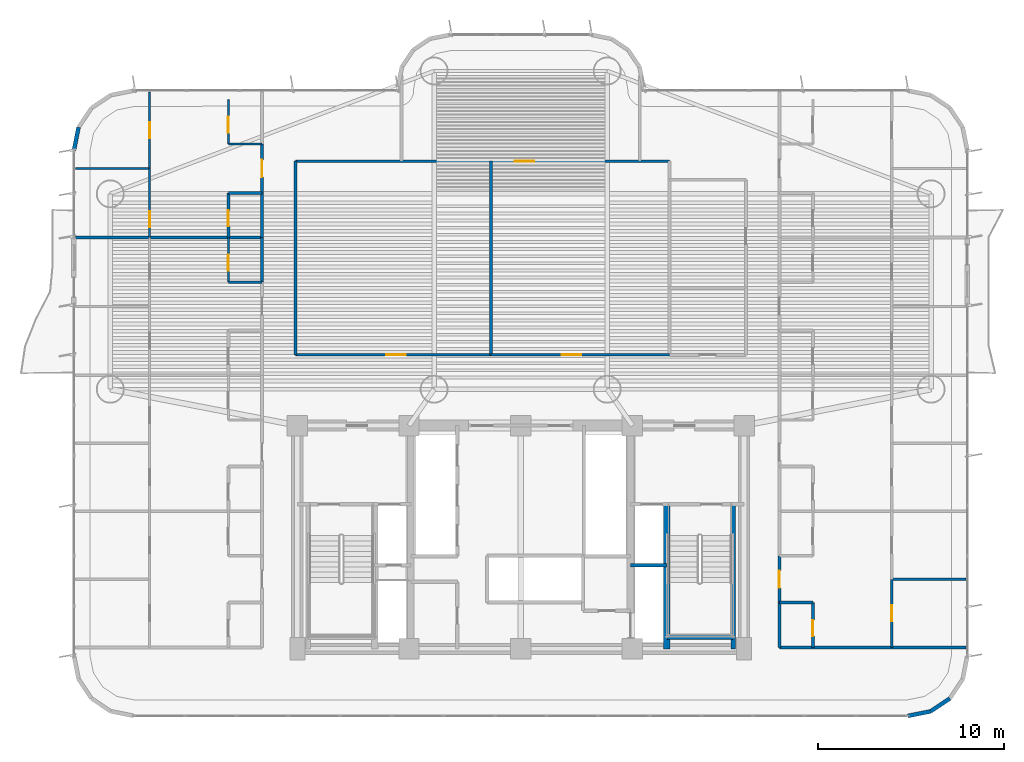
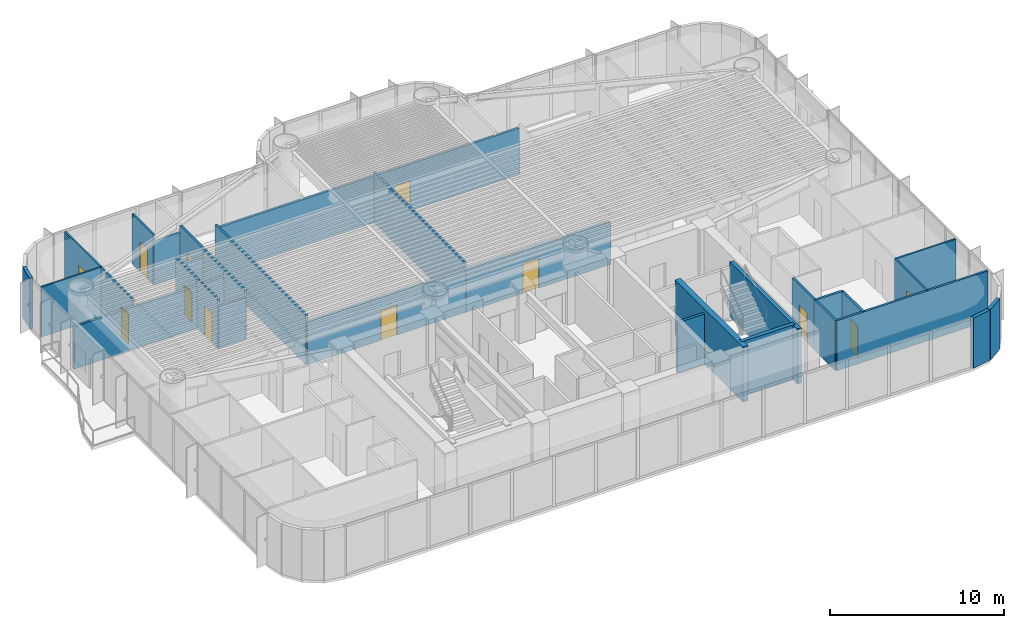
# One storey, part 12 of 19: 32 walls, 12 doors, 12 openings.
"""IFC4 building model written with IfcOpenShell, lengths in metres."""

from ifc_helpers import new_model, si_unit, direction, frame, frame_2d, origin, origin_2d, place, context, subcontext, project, spatial, rectangle, extrude, source, transform, mapped, material, layer, layer_set, type_object, element, fill, save


model = new_model("IFC4")

# Units and contexts
model_context = context("Model", 3, precision=1e-05, world=origin(), true_north=direction((0.0, 1.0)))
body_context = subcontext(model_context, "Body", "Model", "MODEL_VIEW")
ifc_project = project(units=[si_unit("LENGTHUNIT", "METRE"), si_unit("AREAUNIT", "SQUARE_METRE"), si_unit("VOLUMEUNIT", "CUBIC_METRE"), si_unit("PLANEANGLEUNIT", "RADIAN"), si_unit("MASSUNIT", "GRAM", prefix="KILO")], contexts=[model_context])

# Site, building, storey
site_placement = place(None, origin())
site = spatial("IfcSite", under=ifc_project, at=site_placement, CompositionType="ELEMENT")
building_placement = place(site_placement, origin())
building = spatial("IfcBuilding", under=site, at=building_placement, Name="Brelvock Crest Care Tower", CompositionType="ELEMENT")
storey_placement = place(building_placement, frame((0.0, 0.0, 34.56005859375)))
storey = spatial("IfcBuildingStorey", under=building, at=storey_placement, Name="L08", CompositionType="ELEMENT", Elevation=34.56005859375)

# Walls
ifc_material_1 = material(Name="Concrete S80 (80 MPa)", Category="concrete")
ifc_layer_1 = layer(ifc_material_1, 0.35009765625, Name="WL-CS5")
ifc_layer_set_1 = layer_set([ifc_layer_1], Name="Concrete S80 (80 MPa)")
wall_type_1 = type_object("IfcWallType", Name="WL-CS5", PredefinedType="SHEAR", material=ifc_layer_set_1)
wall_1_placement = place(storey_placement, frame((43.85009765625, 6.0, 0.0), z_axis=(0.0, 0.0, 1.0), x_axis=(0.0, 1.0, 0.0)))
element("IfcWall", 1, at=wall_1_placement, inside=storey, type_object=wall_type_1, Name="L08 Core Stair ST-2 West Shear Wall", PredefinedType="SHEAR", context=body_context, shape_type="SweptSolid", body=[
    extrude(rectangle(XDim=7.780029296875, YDim=0.35009765625, at=frame_2d((3.89013671875, 0.0))), origin(), (0.0, 0.0, 1.0), 3.849853515625),
])
ifc_layer_2 = layer(ifc_material_1, 0.25, Name="WL-CS6")
ifc_layer_set_2 = layer_set([ifc_layer_2], Name="Concrete S80 (80 MPa)")
wall_type_2 = type_object("IfcWallType", Name="WL-CS6", PredefinedType="SHEAR", material=ifc_layer_set_2)
wall_2_placement = place(storey_placement, frame((47.419921875, 6.0, 0.0), z_axis=(0.0, 0.0, 1.0), x_axis=(0.0, 1.0, 0.0)))
element("IfcWall", 2, at=wall_2_placement, inside=storey, type_object=wall_type_2, Name="L08 Core Stair ST-2 East Shear Wall", PredefinedType="SHEAR", context=body_context, shape_type="SweptSolid", body=[
    extrude(rectangle(XDim=7.780029296875, YDim=0.25, at=frame_2d((3.89013671875, 0.0))), origin(), (0.0, 0.0, 1.0), 3.849853515625),
])
wall_3_placement = place(storey_placement, frame((43.85009765625, 6.6201171875, 0.0), z_axis=(0.0, 0.0, 1.0), x_axis=(1.0, 0.0, 0.0)))
element("IfcWall", 3, at=wall_3_placement, inside=storey, type_object=wall_type_2, Name="L08 Core Stair ST-2 South Shear Wall", PredefinedType="SHEAR", context=body_context, shape_type="SweptSolid", body=[
    extrude(rectangle(XDim=3.56982421875, YDim=0.25, at=frame_2d((1.784912109375, 0.0))), origin(), (0.0, 0.0, 1.0), 3.849853515625),
])
ifc_material_2 = material(Name="Precast concrete N40 (40 MPa)", Category="concrete")
ifc_layer_3 = layer(ifc_material_2, 0.215087890625, Name="WL-EX2")
ifc_layer_set_3 = layer_set([ifc_layer_3], Name="Precast concrete N40 (40 MPa)")
wall_type_3 = type_object("IfcWallType", Name="WL-EX2", PredefinedType="SOLIDWALL", material=ifc_layer_set_3)
for number, where, z_axis, x_axis, name in (
    (4, (59.062744140625, 3.33740234375, 0.0), (0.0, 0.0, 1.0), (-0.831387912822, -0.555692485475, 0.0), "L08 Rounded Corner Wall 06"),
    (5, (58.024658203125, 2.6435546875, 0.0), (0.0, 0.0, 1.0), (-0.980775717779, -0.195138390419, 0.0), "L08 Rounded Corner Wall 07"),
    (6, (12.0, 32.800048828125, 0.0), (0.0, 0.0, 1.0), (0.195138390419, 0.980775717779, 0.0), "L08 Rounded Corner Wall 14"),
):
    element("IfcWall", number, at=place(storey_placement, frame(where, z_axis=z_axis, x_axis=x_axis)), inside=storey, type_object=wall_type_3, Name=name, PredefinedType="SOLIDWALL", context=body_context, shape_type="SweptSolid", body=[
        extrude(rectangle(XDim=1.24853515625, YDim=0.215087890625, at=frame_2d((0.624267578125, 0.0))), origin(), (0.0, 0.0, 1.0), 3.530029296875),
    ])
ifc_material_3 = material(Name="Masonry Blockwork Acoustic Partition", Category="masonry")
ifc_layer_4 = layer(ifc_material_3, 0.14990234375, Name="WL-INT1")
ifc_layer_set_4 = layer_set([ifc_layer_4], Name="Masonry Blockwork Acoustic Partition")
wall_type_4 = type_object("IfcWallType", Name="WL-INT1", PredefinedType="PARTITIONING", material=ifc_layer_set_4)
wall_4_placement = place(storey_placement, frame((49.89990234375, 6.080078125, 0.0), z_axis=(0.0, 0.0, 1.0), x_axis=(1.0, 0.0, 0.0)))
element("IfcWall", 7, at=wall_4_placement, inside=storey, type_object=wall_type_4, Name="L08 Interior Wall WL-BX-L08-FL-EW1-S", PredefinedType="PARTITIONING", context=body_context, shape_type="SweptSolid", body=[
    extrude(rectangle(XDim=10.02001953125, YDim=0.14990234375, at=frame_2d((5.010009765625, 0.0))), origin(), (0.0, 0.0, 1.0), 3.5),
])

# Wall, opening, door
wall_5_placement = place(storey_placement, frame((23.89990234375, 21.800048828125, 0.0), z_axis=(0.0, 0.0, 1.0), x_axis=(1.0, 0.0, 0.0)))
wall_5 = element("IfcWall", 8, at=wall_5_placement, inside=storey, type_object=wall_type_4, Name="L08 Interior Wall WL-RM-L08-CNW", PredefinedType="PARTITIONING", context=body_context, shape_type="SweptSolid", body=[
    extrude(rectangle(XDim=10.5, YDim=0.14990234375, at=frame_2d((5.25, 0.0))), origin(), (0.0, 0.0, 1.0), 2.98193359375),
])
opening_1_placement = place(wall_5_placement, frame((4.875, 0.0, 0.0)))
opening_1 = element("IfcOpeningElement", 9, at=opening_1_placement, cuts=wall_5, Name="Opening CLD-1", PredefinedType="OPENING", context=body_context, shape_type="SweptSolid", body=[
    extrude(rectangle(XDim=1.050048828125, YDim=2.10009765625, at=origin_2d()), frame((0.52490234375, 0.0849609375, 1.050048828125), z_axis=(0.0, -1.0, 0.0), x_axis=(1.0, 0.0, 0.0)), (0.0, 0.0, 1.0), 0.169921875),
])
ifc_material_4 = material(Name="Engineered Hardwood Timber", Category="wood")
door_type_1 = type_object("IfcDoorType", Name="DR-CLN1", OperationType="NOTDEFINED", PredefinedType="DOOR", material=ifc_material_4)
shared_shape_1 = source(origin(), body_context, "Body", "SweptSolid", [
    extrude(rectangle(XDim=1.050048828125, YDim=2.10009765625, at=origin_2d()), frame((0.52490234375, 0.02490234375, 1.050048828125), z_axis=(0.0, -1.0, 0.0), x_axis=(1.0, 0.0, 0.0)), (0.0, 0.0, 1.0), 0.050048828125),
])
door_1_placement = place(opening_1_placement, origin())
door_1 = element("IfcDoor", 10, at=door_1_placement, inside=storey, type_object=door_type_1, Name="L08 Communal Dining Conservatory Door CNW", OperationType="SINGLE_SWING_LEFT", OverallHeight=2.10009765625, OverallWidth=1.050048828125, PredefinedType="DOOR", context=body_context, shape_type="MappedRepresentation", body=[
    mapped(shared_shape_1, transform((0.0, 0.0, 0.0), x_axis=(1.0, 0.0, 0.0), y_axis=(0.0, 1.0, 0.0), z_axis=(0.0, 0.0, 1.0), scale=1.0)),
])
fill(opening_1, door_1)

wall_6_placement = place(storey_placement, frame((34.39990234375, 21.800048828125, 0.0), z_axis=(0.0, 0.0, 1.0), x_axis=(1.0, 0.0, 0.0)))
wall_6 = element("IfcWall", 11, at=wall_6_placement, inside=storey, type_object=wall_type_4, Name="L08 Interior Wall WL-RM-L08-CNE", PredefinedType="PARTITIONING", context=body_context, shape_type="SweptSolid", body=[
    extrude(rectangle(XDim=9.60009765625, YDim=0.14990234375, at=frame_2d((4.800048828125, 0.0))), origin(), (0.0, 0.0, 1.0), 2.98193359375),
])
opening_2_placement = place(wall_6_placement, frame((3.794921875, 0.0, 0.0)))
opening_2 = element("IfcOpeningElement", 12, at=opening_2_placement, cuts=wall_6, Name="Opening CLD-1", PredefinedType="OPENING", context=body_context, shape_type="SweptSolid", body=[
    extrude(rectangle(XDim=1.050048828125, YDim=2.10009765625, at=origin_2d()), frame((0.52490234375, 0.0849609375, 1.050048828125), z_axis=(0.0, -1.0, 0.0), x_axis=(1.0, 0.0, 0.0)), (0.0, 0.0, 1.0), 0.169921875),
])
door_2_placement = place(opening_2_placement, origin())
door_2 = element("IfcDoor", 13, at=door_2_placement, inside=storey, type_object=door_type_1, Name="L08 Geriatric Nurse Consultation Hub Door CNE", OperationType="SINGLE_SWING_LEFT", OverallHeight=2.10009765625, OverallWidth=1.050048828125, PredefinedType="DOOR", context=body_context, shape_type="MappedRepresentation", body=[
    mapped(shared_shape_1, transform((0.0, 0.0, 0.0), x_axis=(1.0, 0.0, 0.0), y_axis=(0.0, 1.0, 0.0), z_axis=(0.0, 0.0, 1.0), scale=1.0)),
])
fill(opening_2, door_2)

# Wall
wall_7_placement = place(storey_placement, frame((12.080078125, 28.10009765625, 0.0), z_axis=(0.0, 0.0, 1.0), x_axis=(1.0, 0.0, 0.0)))
element("IfcWall", 14, at=wall_7_placement, inside=storey, type_object=wall_type_4, Name="L08 Interior Wall WL-BX-L08-FL-WW3-N", PredefinedType="PARTITIONING", context=body_context, shape_type="SweptSolid", body=[
    extrude(rectangle(XDim=10.02001953125, YDim=0.14990234375, at=frame_2d((5.010009765625, 0.0))), origin(), (0.0, 0.0, 1.0), 2.98193359375),
])

# Wall, opening, door
wall_8_placement = place(storey_placement, frame((23.89990234375, 32.199951171875, 0.0), z_axis=(0.0, 0.0, 1.0), x_axis=(1.0, 0.0, 0.0)))
wall_8 = element("IfcWall", 15, at=wall_8_placement, inside=storey, type_object=wall_type_4, Name="L08 Interior Wall WL-RM-L08-NHUB", PredefinedType="PARTITIONING", context=body_context, shape_type="SweptSolid", body=[
    extrude(rectangle(XDim=20.10009765625, YDim=0.14990234375, at=frame_2d((10.050048828125, 0.0))), origin(), (0.0, 0.0, 1.0), 3.259033203125),
])
opening_3_placement = place(wall_8_placement, frame((11.77490234375, 0.0, 0.0)))
opening_3 = element("IfcOpeningElement", 16, at=opening_3_placement, cuts=wall_8, Name="Opening CLD-1", PredefinedType="OPENING", context=body_context, shape_type="SweptSolid", body=[
    extrude(rectangle(XDim=1.050048828125, YDim=2.10009765625, at=origin_2d()), frame((0.52490234375, 0.0849609375, 1.050048828125), z_axis=(0.0, -1.0, 0.0), x_axis=(1.0, 0.0, 0.0)), (0.0, 0.0, 1.0), 0.169921875),
])
door_3_placement = place(opening_3_placement, origin())
door_3 = element("IfcDoor", 17, at=door_3_placement, inside=storey, type_object=door_type_1, Name="L08 Harbour Wintergarden Lounge Door NHUB", OperationType="SINGLE_SWING_LEFT", OverallHeight=2.10009765625, OverallWidth=1.050048828125, PredefinedType="DOOR", context=body_context, shape_type="MappedRepresentation", body=[
    mapped(shared_shape_1, transform((0.0, 0.0, 0.0), x_axis=(1.0, 0.0, 0.0), y_axis=(0.0, 1.0, 0.0), z_axis=(0.0, 0.0, 1.0), scale=1.0)),
])
fill(opening_3, door_3)

# Wall
wall_9_placement = place(storey_placement, frame((22.10009765625, 25.699951171875, 0.0), z_axis=(0.0, 0.0, 1.0), x_axis=(0.0, 1.0, 0.0)))
element("IfcWall", 18, at=wall_9_placement, inside=storey, type_object=wall_type_4, Name="L08 Interior Wall WL-UCK-L08-WW3", PredefinedType="PARTITIONING", context=body_context, shape_type="SweptSolid", body=[
    extrude(rectangle(XDim=2.400146484375, YDim=0.14990234375, at=frame_2d((1.2001953125, 0.0))), origin(), (0.0, 0.0, 1.0), 3.5),
])

# Wall, opening, door
wall_10_placement = place(storey_placement, frame((22.10009765625, 30.5, 0.0), z_axis=(0.0, 0.0, 1.0), x_axis=(0.0, 1.0, 0.0)))
wall_10 = element("IfcWall", 19, at=wall_10_placement, inside=storey, type_object=wall_type_4, Name="L08 Interior Wall WL-UENT-L08-WW4", PredefinedType="PARTITIONING", context=body_context, shape_type="SweptSolid", body=[
    extrude(rectangle(XDim=2.6201171875, YDim=0.14990234375, at=frame_2d((1.31005859375, 0.0))), origin(), (0.0, 0.0, 1.0), 3.5),
])
opening_4_placement = place(wall_10_placement, frame((0.85009765625, 0.0, 0.0)))
opening_4 = element("IfcOpeningElement", 20, at=opening_4_placement, cuts=wall_10, Name="Opening AD-1", PredefinedType="OPENING", context=body_context, shape_type="SweptSolid", body=[
    extrude(rectangle(XDim=0.919921875, YDim=2.10009765625, at=origin_2d()), frame((0.4599609375, 0.0849609375, 1.050048828125), z_axis=(0.0, -1.0, 0.0), x_axis=(1.0, 0.0, 0.0)), (0.0, 0.0, 1.0), 0.169921875),
])
door_type_2 = type_object("IfcDoorType", Name="DR-APT1", OperationType="NOTDEFINED", PredefinedType="DOOR", material=ifc_material_4)
shared_shape_2 = source(origin(), body_context, "Body", "SweptSolid", [
    extrude(rectangle(XDim=0.919921875, YDim=2.10009765625, at=origin_2d()), frame((0.4599609375, 0.02490234375, 1.050048828125), z_axis=(0.0, -1.0, 0.0), x_axis=(1.0, 0.0, 0.0)), (0.0, 0.0, 1.0), 0.050048828125),
])
door_4_placement = place(opening_4_placement, origin())
door_4 = element("IfcDoor", 21, at=door_4_placement, inside=storey, type_object=door_type_2, Name="L08 Apartment Entrance WW4", OperationType="SINGLE_SWING_LEFT", OverallHeight=2.10009765625, OverallWidth=0.919921875, PredefinedType="DOOR", context=body_context, shape_type="MappedRepresentation", body=[
    mapped(shared_shape_2, transform((0.0, 0.0, 0.0), x_axis=(1.0, 0.0, 0.0), y_axis=(0.0, 1.0, 0.0), z_axis=(0.0, 0.0, 1.0), scale=1.0)),
])
fill(opening_4, door_4)

# Walls
for number, where, z_axis, x_axis, name in (
    (22, (23.89990234375, 21.800048828125, 0.0), (0.0, 0.0, 1.0), (0.0, 1.0, 0.0), "L08 Interior Wall WL-BX-L08-CNW-W"),
    (23, (34.39990234375, 21.800048828125, 0.0), (0.0, 0.0, 1.0), (0.0, 1.0, 0.0), "L08 Interior Wall WL-BX-L08-CNE-W"),
):
    element("IfcWall", number, at=place(storey_placement, frame(where, z_axis=z_axis, x_axis=x_axis)), inside=storey, type_object=wall_type_4, Name=name, PredefinedType="PARTITIONING", context=body_context, shape_type="SweptSolid", body=[
        extrude(rectangle(XDim=10.39990234375, YDim=0.14990234375, at=frame_2d((5.199951171875, 0.0))), origin(), (0.0, 0.0, 1.0), 3.5),
    ])

# Wall, opening, door
wall_11_placement = place(storey_placement, frame((49.89990234375, 8.47998046875, 0.0), z_axis=(0.0, 0.0, 1.0), x_axis=(0.0, 1.0, 0.0)))
wall_11 = element("IfcWall", 24, at=wall_11_placement, inside=storey, type_object=wall_type_4, Name="L08 Interior Wall WL-UENT-L08-EW1", PredefinedType="PARTITIONING", context=body_context, shape_type="SweptSolid", body=[
    extrude(rectangle(XDim=2.52001953125, YDim=0.14990234375, at=frame_2d((1.260009765625, 0.0))), origin(), (0.0, 0.0, 1.0), 3.5),
])
opening_5_placement = place(wall_11_placement, frame((0.800048828125, 0.0, 0.0)))
opening_5 = element("IfcOpeningElement", 25, at=opening_5_placement, cuts=wall_11, Name="Opening AD-1", PredefinedType="OPENING", context=body_context, shape_type="SweptSolid", body=[
    extrude(rectangle(XDim=0.919921875, YDim=2.10009765625, at=origin_2d()), frame((0.4599609375, 0.0849609375, 1.050048828125), z_axis=(0.0, -1.0, 0.0), x_axis=(1.0, 0.0, 0.0)), (0.0, 0.0, 1.0), 0.169921875),
])
door_5_placement = place(opening_5_placement, origin())
door_5 = element("IfcDoor", 26, at=door_5_placement, inside=storey, type_object=door_type_2, Name="L08 Apartment Entrance EW1", OperationType="SINGLE_SWING_LEFT", OverallHeight=2.10009765625, OverallWidth=0.919921875, PredefinedType="DOOR", context=body_context, shape_type="MappedRepresentation", body=[
    mapped(shared_shape_2, transform((0.0, 0.0, 0.0), x_axis=(1.0, 0.0, 0.0), y_axis=(0.0, 1.0, 0.0), z_axis=(0.0, 0.0, 1.0), scale=1.0)),
])
fill(opening_5, door_5)

# Walls
ifc_material_5 = material(Name="Gypsum Plasterboard Partition", Category="gypsum")
ifc_layer_5 = layer(ifc_material_5, 0.1201171875, Name="WL-INT2")
ifc_layer_set_5 = layer_set([ifc_layer_5], Name="Gypsum Plasterboard Partition")
wall_type_5 = type_object("IfcWallType", Name="WL-INT2", PredefinedType="PARTITIONING", material=ifc_layer_set_5)
wall_12_placement = place(storey_placement, frame((55.93603515625, 9.739990234375, 0.0), z_axis=(0.0, 0.0, 1.0), x_axis=(1.0, 0.0, 0.0)))
element("IfcWall", 27, at=wall_12_placement, inside=storey, type_object=wall_type_5, Name="L08 Interior Wall WL-UBSP-L08-EW1", PredefinedType="PARTITIONING", context=body_context, shape_type="SweptSolid", body=[
    extrude(rectangle(XDim=3.98388671875, YDim=0.1201171875, at=frame_2d((1.991943359375, 0.0))), origin(), (0.0, 0.0, 1.0), 3.5),
])
wall_13_placement = place(storey_placement, frame((20.300048828125, 25.699951171875, 0.0), z_axis=(0.0, 0.0, 1.0), x_axis=(1.0, 0.0, 0.0)))
element("IfcWall", 28, at=wall_13_placement, inside=storey, type_object=wall_type_5, Name="L08 Interior Wall WL-UKIT2-L08-WW3", PredefinedType="PARTITIONING", context=body_context, shape_type="SweptSolid", body=[
    extrude(rectangle(XDim=1.800048828125, YDim=0.1201171875, at=frame_2d((0.89990234375, 0.0))), origin(), (0.0, 0.0, 1.0), 2.98193359375),
])
wall_14_placement = place(storey_placement, frame((12.080078125, 31.81005859375, 0.0), z_axis=(0.0, 0.0, 1.0), x_axis=(1.0, 0.0, 0.0)))
element("IfcWall", 29, at=wall_14_placement, inside=storey, type_object=wall_type_5, Name="L08 Interior Wall WL-UBSP-L08-WW4", PredefinedType="PARTITIONING", context=body_context, shape_type="SweptSolid", body=[
    extrude(rectangle(XDim=3.98388671875, YDim=0.1201171875, at=frame_2d((1.991943359375, 0.0))), origin(), (0.0, 0.0, 1.0), 3.5),
])
wall_15_placement = place(storey_placement, frame((20.300048828125, 33.1201171875, 0.0), z_axis=(0.0, 0.0, 1.0), x_axis=(1.0, 0.0, 0.0)))
element("IfcWall", 30, at=wall_15_placement, inside=storey, type_object=wall_type_5, Name="L08 Interior Wall WL-UKIT2-L08-WW4", PredefinedType="PARTITIONING", context=body_context, shape_type="SweptSolid", body=[
    extrude(rectangle(XDim=1.800048828125, YDim=0.1201171875, at=frame_2d((0.89990234375, 0.0))), origin(), (0.0, 0.0, 1.0), 3.054931640625),
])

# Wall, opening, door
wall_16_placement = place(storey_placement, frame((16.06396484375, 28.10009765625, 0.0), z_axis=(0.0, 0.0, 1.0), x_axis=(0.0, 1.0, 0.0)))
wall_16 = element("IfcWall", 31, at=wall_16_placement, inside=storey, type_object=wall_type_5, Name="L08 Interior Wall WL-UBD1-L08-WW4", PredefinedType="PARTITIONING", context=body_context, shape_type="SweptSolid", body=[
    extrude(rectangle(XDim=3.7099609375, YDim=0.1201171875, at=frame_2d((1.85498046875, 0.0))), origin(), (0.0, 0.0, 1.0), 3.5),
])
opening_6_placement = place(wall_16_placement, frame((0.544921875, 0.0, 0.0)))
opening_6 = element("IfcOpeningElement", 32, at=opening_6_placement, cuts=wall_16, Name="Opening ID-1", PredefinedType="OPENING", context=body_context, shape_type="SweptSolid", body=[
    extrude(rectangle(XDim=0.860107421875, YDim=2.10009765625, at=origin_2d()), frame((0.43017578125, 0.070068359375, 1.050048828125), z_axis=(0.0, -1.0, 0.0), x_axis=(1.0, 0.0, 0.0)), (0.0, 0.0, 1.0), 0.14013671875),
])
door_type_3 = type_object("IfcDoorType", Name="DR-INT1", OperationType="NOTDEFINED", PredefinedType="DOOR", material=ifc_material_4)
shared_shape_3 = source(origin(), body_context, "Body", "SweptSolid", [
    extrude(rectangle(XDim=0.860107421875, YDim=2.10009765625, at=origin_2d()), frame((0.43017578125, 0.02490234375, 1.050048828125), z_axis=(0.0, -1.0, 0.0), x_axis=(1.0, 0.0, 0.0)), (0.0, 0.0, 1.0), 0.050048828125),
])
door_6_placement = place(opening_6_placement, origin())
door_6 = element("IfcDoor", 33, at=door_6_placement, inside=storey, type_object=door_type_3, Name="L08 Primary Bedroom Door WW4", OperationType="SINGLE_SWING_RIGHT", OverallHeight=2.10009765625, OverallWidth=0.860107421875, PredefinedType="DOOR", context=body_context, shape_type="MappedRepresentation", body=[
    mapped(shared_shape_3, transform((0.0, 0.0, 0.0), x_axis=(1.0, 0.0, 0.0), y_axis=(0.0, 1.0, 0.0), z_axis=(0.0, 0.0, 1.0), scale=1.0)),
])
fill(opening_6, door_6)

wall_17_placement = place(storey_placement, frame((16.06396484375, 31.81005859375, 0.0), z_axis=(0.0, 0.0, 1.0), x_axis=(0.0, 1.0, 0.0)))
wall_17 = element("IfcWall", 34, at=wall_17_placement, inside=storey, type_object=wall_type_5, Name="L08 Interior Wall WL-UBD2-L08-WW4", PredefinedType="PARTITIONING", context=body_context, shape_type="SweptSolid", body=[
    extrude(rectangle(XDim=4.110107421875, YDim=0.1201171875, at=frame_2d((2.05517578125, 0.0))), origin(), (0.0, 0.0, 1.0), 3.5),
])
opening_7_placement = place(wall_17_placement, frame((1.625, 0.0, 0.0)))
opening_7 = element("IfcOpeningElement", 35, at=opening_7_placement, cuts=wall_17, Name="Opening ID-1", PredefinedType="OPENING", context=body_context, shape_type="SweptSolid", body=[
    extrude(rectangle(XDim=0.860107421875, YDim=2.10009765625, at=origin_2d()), frame((0.43017578125, 0.070068359375, 1.050048828125), z_axis=(0.0, -1.0, 0.0), x_axis=(1.0, 0.0, 0.0)), (0.0, 0.0, 1.0), 0.14013671875),
])
door_7_placement = place(opening_7_placement, origin())
door_7 = element("IfcDoor", 36, at=door_7_placement, inside=storey, type_object=door_type_3, Name="L08 Second Room Door WW4", OperationType="SINGLE_SWING_LEFT", OverallHeight=2.10009765625, OverallWidth=0.860107421875, PredefinedType="DOOR", context=body_context, shape_type="MappedRepresentation", body=[
    mapped(shared_shape_3, transform((0.0, 0.0, 0.0), x_axis=(1.0, 0.0, 0.0), y_axis=(0.0, 1.0, 0.0), z_axis=(0.0, 0.0, 1.0), scale=1.0)),
])
fill(opening_7, door_7)

wall_18_placement = place(storey_placement, frame((20.300048828125, 25.699951171875, 0.0), z_axis=(0.0, 0.0, 1.0), x_axis=(0.0, 1.0, 0.0)))
wall_18 = element("IfcWall", 37, at=wall_18_placement, inside=storey, type_object=wall_type_5, Name="L08 Interior Wall WL-UKIT1-L08-WW3", PredefinedType="PARTITIONING", context=body_context, shape_type="SweptSolid", body=[
    extrude(rectangle(XDim=2.400146484375, YDim=0.1201171875, at=frame_2d((1.2001953125, 0.0))), origin(), (0.0, 0.0, 1.0), 3.5),
])
opening_8_placement = place(wall_18_placement, frame((0.6201171875, 0.0, 0.0)))
opening_8 = element("IfcOpeningElement", 38, at=opening_8_placement, cuts=wall_18, Name="Opening ID-1", PredefinedType="OPENING", context=body_context, shape_type="SweptSolid", body=[
    extrude(rectangle(XDim=0.860107421875, YDim=2.10009765625, at=origin_2d()), frame((0.43017578125, 0.070068359375, 1.050048828125), z_axis=(0.0, -1.0, 0.0), x_axis=(1.0, 0.0, 0.0)), (0.0, 0.0, 1.0), 0.14013671875),
])
door_8_placement = place(opening_8_placement, origin())
door_8 = element("IfcDoor", 39, at=door_8_placement, inside=storey, type_object=door_type_3, Name="L08 Kitchen Door WW3", OperationType="SINGLE_SWING_LEFT", OverallHeight=2.10009765625, OverallWidth=0.860107421875, PredefinedType="DOOR", context=body_context, shape_type="MappedRepresentation", body=[
    mapped(shared_shape_3, transform((0.0, 0.0, 0.0), x_axis=(1.0, 0.0, 0.0), y_axis=(0.0, 1.0, 0.0), z_axis=(0.0, 0.0, 1.0), scale=1.0)),
])
fill(opening_8, door_8)

wall_19_placement = place(storey_placement, frame((20.300048828125, 33.1201171875, 0.0), z_axis=(0.0, 0.0, 1.0), x_axis=(0.0, 1.0, 0.0)))
wall_19 = element("IfcWall", 40, at=wall_19_placement, inside=storey, type_object=wall_type_5, Name="L08 Interior Wall WL-UKIT1-L08-WW4", PredefinedType="PARTITIONING", context=body_context, shape_type="SweptSolid", body=[
    extrude(rectangle(XDim=2.39990234375, YDim=0.1201171875, at=frame_2d((1.199951171875, 0.0))), origin(), (0.0, 0.0, 1.0), 3.5),
])
opening_9_placement = place(wall_19_placement, frame((0.6201171875, 0.0, 0.0)))
opening_9 = element("IfcOpeningElement", 41, at=opening_9_placement, cuts=wall_19, Name="Opening ID-1", PredefinedType="OPENING", context=body_context, shape_type="SweptSolid", body=[
    extrude(rectangle(XDim=0.860107421875, YDim=2.10009765625, at=origin_2d()), frame((0.43017578125, 0.070068359375, 1.050048828125), z_axis=(0.0, -1.0, 0.0), x_axis=(1.0, 0.0, 0.0)), (0.0, 0.0, 1.0), 0.14013671875),
])
door_9_placement = place(opening_9_placement, origin())
door_9 = element("IfcDoor", 42, at=door_9_placement, inside=storey, type_object=door_type_3, Name="L08 Kitchen Door WW4", OperationType="SINGLE_SWING_LEFT", OverallHeight=2.10009765625, OverallWidth=0.860107421875, PredefinedType="DOOR", context=body_context, shape_type="MappedRepresentation", body=[
    mapped(shared_shape_3, transform((0.0, 0.0, 0.0), x_axis=(1.0, 0.0, 0.0), y_axis=(0.0, 1.0, 0.0), z_axis=(0.0, 0.0, 1.0), scale=1.0)),
])
fill(opening_9, door_9)

wall_20_placement = place(storey_placement, frame((55.93603515625, 6.080078125, 0.0), z_axis=(0.0, 0.0, 1.0), x_axis=(0.0, 1.0, 0.0)))
wall_20 = element("IfcWall", 43, at=wall_20_placement, inside=storey, type_object=wall_type_5, Name="L08 Interior Wall WL-UBD1-L08-EW1", PredefinedType="PARTITIONING", context=body_context, shape_type="SweptSolid", body=[
    extrude(rectangle(XDim=3.659912109375, YDim=0.1201171875, at=frame_2d((1.830078125, 0.0))), origin(), (0.0, 0.0, 1.0), 3.5),
])
opening_10_placement = place(wall_20_placement, frame((1.39990234375, 0.0, 0.0)))
opening_10 = element("IfcOpeningElement", 44, at=opening_10_placement, cuts=wall_20, Name="Opening ID-1", PredefinedType="OPENING", context=body_context, shape_type="SweptSolid", body=[
    extrude(rectangle(XDim=0.860107421875, YDim=2.10009765625, at=origin_2d()), frame((0.43017578125, 0.070068359375, 1.050048828125), z_axis=(0.0, -1.0, 0.0), x_axis=(1.0, 0.0, 0.0)), (0.0, 0.0, 1.0), 0.14013671875),
])
door_10_placement = place(opening_10_placement, origin())
door_10 = element("IfcDoor", 45, at=door_10_placement, inside=storey, type_object=door_type_3, Name="L08 Primary Bedroom Door EW1", OperationType="SINGLE_SWING_RIGHT", OverallHeight=2.10009765625, OverallWidth=0.860107421875, PredefinedType="DOOR", context=body_context, shape_type="MappedRepresentation", body=[
    mapped(shared_shape_3, transform((0.0, 0.0, 0.0), x_axis=(1.0, 0.0, 0.0), y_axis=(0.0, 1.0, 0.0), z_axis=(0.0, 0.0, 1.0), scale=1.0)),
])
fill(opening_10, door_10)

# Walls
ifc_layer_6 = layer(ifc_material_5, 0.159912109375, Name="WL-PLM1")
ifc_layer_set_6 = layer_set([ifc_layer_6], Name="Gypsum Plasterboard Partition")
wall_type_6 = type_object("IfcWallType", Name="WL-PLM1", PredefinedType="PLUMBINGWALL", material=ifc_layer_set_6)
wall_21_placement = place(storey_placement, frame((49.89990234375, 8.47998046875, 0.0), z_axis=(0.0, 0.0, 1.0), x_axis=(1.0, 0.0, 0.0)))
element("IfcWall", 46, at=wall_21_placement, inside=storey, type_object=wall_type_6, Name="L08 Interior Wall WL-UBTH2-L08-EW1", PredefinedType="PLUMBINGWALL", context=body_context, shape_type="SweptSolid", body=[
    extrude(rectangle(XDim=1.800048828125, YDim=0.159912109375, at=frame_2d((0.89990234375, 0.0))), origin(), (0.0, 0.0, 1.0), 3.5),
])
wall_22_placement = place(storey_placement, frame((20.300048828125, 30.5, 0.0), z_axis=(0.0, 0.0, 1.0), x_axis=(1.0, 0.0, 0.0)))
element("IfcWall", 47, at=wall_22_placement, inside=storey, type_object=wall_type_6, Name="L08 Interior Wall WL-UBTH2-L08-WW4", PredefinedType="PLUMBINGWALL", context=body_context, shape_type="SweptSolid", body=[
    extrude(rectangle(XDim=1.800048828125, YDim=0.159912109375, at=frame_2d((0.89990234375, 0.0))), origin(), (0.0, 0.0, 1.0), 2.90283203125),
])

# Wall, opening, door
wall_23_placement = place(storey_placement, frame((20.300048828125, 28.10009765625, 0.0), z_axis=(0.0, 0.0, 1.0), x_axis=(0.0, 1.0, 0.0)))
wall_23 = element("IfcWall", 48, at=wall_23_placement, inside=storey, type_object=wall_type_6, Name="L08 Interior Wall WL-UBTH1-L08-WW4", PredefinedType="PLUMBINGWALL", context=body_context, shape_type="SweptSolid", body=[
    extrude(rectangle(XDim=2.39990234375, YDim=0.159912109375, at=frame_2d((1.199951171875, 0.0))), origin(), (0.0, 0.0, 1.0), 3.5),
])
opening_11_placement = place(wall_23_placement, frame((0.60009765625, 0.0, 0.0)))
opening_11 = element("IfcOpeningElement", 49, at=opening_11_placement, cuts=wall_23, Name="Opening WD-1", PredefinedType="OPENING", context=body_context, shape_type="SweptSolid", body=[
    extrude(rectangle(XDim=0.860107421875, YDim=2.10009765625, at=origin_2d()), frame((0.43017578125, 0.08984375, 1.050048828125), z_axis=(0.0, -1.0, 0.0), x_axis=(1.0, 0.0, 0.0)), (0.0, 0.0, 1.0), 0.179931640625),
])
door_type_4 = type_object("IfcDoorType", Name="DR-WC1", OperationType="NOTDEFINED", PredefinedType="DOOR", material=ifc_material_4)
shared_shape_4 = source(origin(), body_context, "Body", "SweptSolid", [
    extrude(rectangle(XDim=0.860107421875, YDim=2.10009765625, at=origin_2d()), frame((0.43017578125, 0.02490234375, 1.050048828125), z_axis=(0.0, -1.0, 0.0), x_axis=(1.0, 0.0, 0.0)), (0.0, 0.0, 1.0), 0.050048828125),
])
door_11_placement = place(opening_11_placement, origin())
door_11 = element("IfcDoor", 50, at=door_11_placement, inside=storey, type_object=door_type_4, Name="L08 Bathroom Door WW4", OperationType="SINGLE_SWING_LEFT", OverallHeight=2.10009765625, OverallWidth=0.860107421875, PredefinedType="DOOR", context=body_context, shape_type="MappedRepresentation", body=[
    mapped(shared_shape_4, transform((0.0, 0.0, 0.0), x_axis=(1.0, 0.0, 0.0), y_axis=(0.0, 1.0, 0.0), z_axis=(0.0, 0.0, 1.0), scale=1.0)),
])
fill(opening_11, door_11)

# Walls
for number, where, z_axis, x_axis, name in (
    (51, (22.10009765625, 28.10009765625, 0.0), (0.0, 0.0, 1.0), (0.0, 1.0, 0.0), "L08 Interior Wall WL-UCB-L08-WW4"),
    (52, (49.89990234375, 6.080078125, 0.0), (0.0, 0.0, 1.0), (0.0, 1.0, 0.0), "L08 Interior Wall WL-UCB-L08-EW1"),
):
    element("IfcWall", number, at=place(storey_placement, frame(where, z_axis=z_axis, x_axis=x_axis)), inside=storey, type_object=wall_type_6, Name=name, PredefinedType="PLUMBINGWALL", context=body_context, shape_type="SweptSolid", body=[
        extrude(rectangle(XDim=2.39990234375, YDim=0.159912109375, at=frame_2d((1.199951171875, 0.0))), origin(), (0.0, 0.0, 1.0), 3.5),
    ])

# Wall, opening, door
wall_24_placement = place(storey_placement, frame((51.699951171875, 6.080078125, 0.0), z_axis=(0.0, 0.0, 1.0), x_axis=(0.0, 1.0, 0.0)))
wall_24 = element("IfcWall", 53, at=wall_24_placement, inside=storey, type_object=wall_type_6, Name="L08 Interior Wall WL-UBTH1-L08-EW1", PredefinedType="PLUMBINGWALL", context=body_context, shape_type="SweptSolid", body=[
    extrude(rectangle(XDim=2.39990234375, YDim=0.159912109375, at=frame_2d((1.199951171875, 0.0))), origin(), (0.0, 0.0, 1.0), 3.5),
])
opening_12_placement = place(wall_24_placement, frame((0.60009765625, 0.0, 0.0)))
opening_12 = element("IfcOpeningElement", 54, at=opening_12_placement, cuts=wall_24, Name="Opening WD-1", PredefinedType="OPENING", context=body_context, shape_type="SweptSolid", body=[
    extrude(rectangle(XDim=0.860107421875, YDim=2.10009765625, at=origin_2d()), frame((0.43017578125, 0.08984375, 1.050048828125), z_axis=(0.0, -1.0, 0.0), x_axis=(1.0, 0.0, 0.0)), (0.0, 0.0, 1.0), 0.179931640625),
])
door_12_placement = place(opening_12_placement, origin())
door_12 = element("IfcDoor", 55, at=door_12_placement, inside=storey, type_object=door_type_4, Name="L08 Bathroom Door EW1", OperationType="SINGLE_SWING_LEFT", OverallHeight=2.10009765625, OverallWidth=0.860107421875, PredefinedType="DOOR", context=body_context, shape_type="MappedRepresentation", body=[
    mapped(shared_shape_4, transform((0.0, 0.0, 0.0), x_axis=(1.0, 0.0, 0.0), y_axis=(0.0, 1.0, 0.0), z_axis=(0.0, 0.0, 1.0), scale=1.0)),
])
fill(opening_12, door_12)

# Wall
ifc_layer_7 = layer(ifc_material_3, 0.179931640625, Name="WL-SHF1")
ifc_layer_set_7 = layer_set([ifc_layer_7], Name="Masonry Blockwork Acoustic Partition")
wall_type_7 = type_object("IfcWallType", Name="WL-SHF1", PredefinedType="PARTITIONING", material=ifc_layer_set_7)
wall_25_placement = place(storey_placement, frame((41.89990234375, 10.5, 0.0), z_axis=(0.0, 0.0, 1.0), x_axis=(1.0, 0.0, 0.0)))
element("IfcWall", 56, at=wall_25_placement, inside=storey, type_object=wall_type_7, Name="L08 Interior Wall WL-FFH2-S-L08", PredefinedType="PARTITIONING", context=body_context, shape_type="SweptSolid", body=[
    extrude(rectangle(XDim=1.9501953125, YDim=0.179931640625, at=frame_2d((0.97509765625, 0.0))), origin(), (0.0, 0.0, 1.0), 3.5),
])

save(model, "model.ifc")
